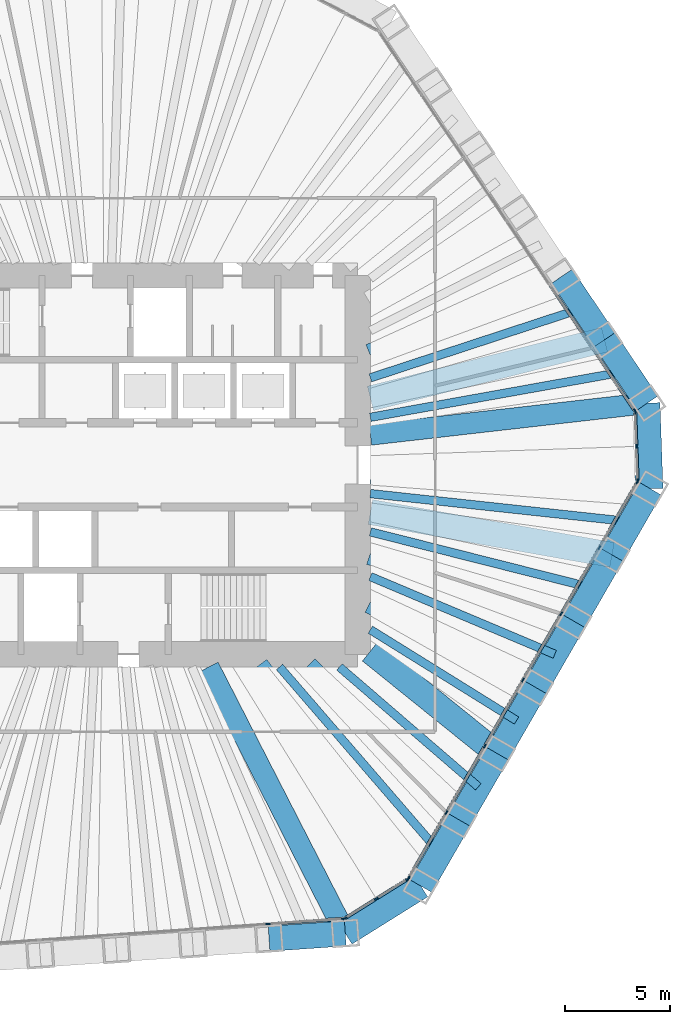
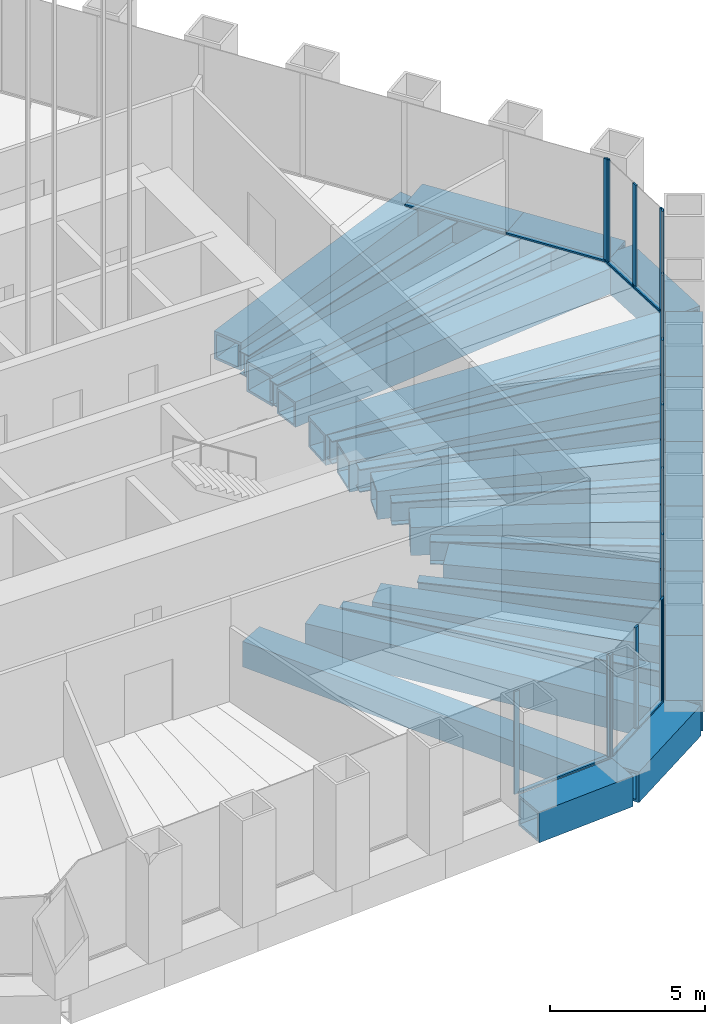
# One storey, part 4 of 20: 40 members, 19 beams, 5 elements without a shape of their own.
"""IFC4 building model written with IfcOpenShell, lengths in metres."""

import ifcopenshell
import ifcopenshell.guid

model = None  # the IFC model being written
_history = None  # IfcOwnerHistory: only IFC2X3 demands one
_inside = {}  # id of a spatial element -> (the spatial element, [elements in it])
_under = {}  # id of a project, library or spatial element -> (it, [spatial elements below it])
_declared = {}  # id of a project -> (the project, [libraries it declares])
_typed = {}  # id of a type object -> (the type object, [elements of that type])
_made_of = {}  # id of a material, layer set ... -> (it, [elements and type objects made of it])


def new_model(schema):
    """Start an empty IFC model of exactly this schema.

    Asked for "IFC4X3", IfcOpenShell would pick the latest addendum, in which some entities
    have other attributes; the version numbers below select the first issue.
    IFC2X3 requires an IfcOwnerHistory on every rooted entity: one is made here for all.
    """
    global model, _history
    if schema == "IFC4X3":
        model = ifcopenshell.file(schema_version=(4, 3, 0, 0))
    else:
        model = ifcopenshell.file(schema=schema)
    _inside.clear()
    _under.clear()
    _declared.clear()
    _typed.clear()
    _made_of.clear()
    _history = None
    if model.schema == "IFC2X3":
        org = make("IfcOrganization", Name="unknown")
        user = make(
            "IfcPersonAndOrganization",
            ThePerson=make("IfcPerson", FamilyName="unknown"),
            TheOrganization=org,
        )
        app = make(
            "IfcApplication",
            ApplicationDeveloper=org,
            Version="unknown",
            ApplicationFullName="unknown",
            ApplicationIdentifier="unknown",
        )
        _history = make(
            "IfcOwnerHistory",
            OwningUser=user,
            OwningApplication=app,
            ChangeAction="ADDED",
            CreationDate=0,
        )
    return model


def make(cls, **values):
    """One entity of the class cls with the attributes given. An attribute that is None is left unset."""
    return model.create_entity(
        cls, **{name: value for name, value in values.items() if value is not None}
    )


def rooted(cls, **values):
    """An entity with a GlobalId (a new one), such as an element, a storey or a relation."""
    return make(cls, GlobalId=ifcopenshell.guid.new(), OwnerHistory=_history, **values)


def si_unit(unit_type, name, prefix=None):
    """IfcSIUnit, for example si_unit("LENGTHUNIT", "METRE", prefix="MILLI")."""
    return make("IfcSIUnit", UnitType=unit_type, Prefix=prefix, Name=name)


def assignment(units):
    """IfcUnitAssignment: the units of a project."""
    return None if units is None else make("IfcUnitAssignment", Units=units)


def point(xyz):
    """IfcCartesianPoint."""
    return None if xyz is None else make("IfcCartesianPoint", Coordinates=xyz)


def direction(xyz):
    """IfcDirection."""
    return None if xyz is None else make("IfcDirection", DirectionRatios=xyz)


def frame(location, z_axis=None, x_axis=None):
    """IfcAxis2Placement3D, a coordinate frame: its origin and axes. An axis left out is left unset."""
    return make(
        "IfcAxis2Placement3D",
        Location=point(location),
        Axis=direction(z_axis),
        RefDirection=direction(x_axis),
    )


def frame_2d(location, x_axis=None):
    """IfcAxis2Placement2D, a coordinate frame in the plane: its origin and x axis."""
    return make(
        "IfcAxis2Placement2D", Location=point(location), RefDirection=direction(x_axis)
    )


def origin():
    """The frame at (0, 0, 0) with its axes left unset."""
    return frame((0.0, 0.0, 0.0))


def origin_2d():
    """The frame at (0, 0) in the plane with its x axis left unset."""
    return frame_2d((0.0, 0.0))


def place(relative_to, where):
    """IfcLocalPlacement: puts the frame where relative to a parent placement (None: the world)."""
    return make(
        "IfcLocalPlacement", PlacementRelTo=relative_to, RelativePlacement=where
    )


def context(
    kind, dimensions, precision=None, world=None, true_north=None, identifier=None
):
    """IfcGeometricRepresentationContext, for example the 3D "Model" context."""
    return make(
        "IfcGeometricRepresentationContext",
        ContextIdentifier=identifier,
        ContextType=kind,
        CoordinateSpaceDimension=dimensions,
        Precision=precision,
        WorldCoordinateSystem=world,
        TrueNorth=true_north,
    )


def subcontext(parent, identifier, kind, view, scale=None):
    """IfcGeometricRepresentationSubContext, for example "Body" below "Model"."""
    return make(
        "IfcGeometricRepresentationSubContext",
        ContextIdentifier=identifier,
        ContextType=kind,
        ParentContext=parent,
        TargetScale=scale,
        TargetView=view,
    )


def project(units=None, contexts=None):
    """IfcProject with its units and contexts."""
    return rooted(
        "IfcProject",
        Name="project",
        RepresentationContexts=contexts,
        UnitsInContext=assignment(units),
    )


def spatial(cls, under=None, at=None, **own):
    """A site, building, storey or space (cls), placed at a placement, below another one or the project."""
    s = rooted(cls, ObjectPlacement=at, **own)
    if under is not None:
        _under.setdefault(under.id(), (under, []))[1].append(s)
    return s


def profile(cls, at=None, kind="AREA", **sizes):
    """A parametric profile (cls). Its sizes go by their IFC names, for example OverallWidth=200.0."""
    return make(cls, ProfileType=kind, Position=at, **sizes)


def rectangle(**sizes):
    """IfcRectangleProfileDef."""
    return profile("IfcRectangleProfileDef", **sizes)


def hollow_rectangle(**sizes):
    """IfcRectangleHollowProfileDef."""
    return profile("IfcRectangleHollowProfileDef", **sizes)


def i_section(**sizes):
    """IfcIShapeProfileDef."""
    return profile("IfcIShapeProfileDef", **sizes)


def extrude(swept, where, along, depth):
    """IfcExtrudedAreaSolid: the profile swept, set in the frame where, extruded along a direction by depth."""
    return make(
        "IfcExtrudedAreaSolid",
        SweptArea=swept,
        Position=where,
        ExtrudedDirection=direction(along),
        Depth=depth,
    )


def shape(context_of_items, identifier, shape_type, items):
    """IfcShapeRepresentation: the items that make up one representation, for example the "Body"."""
    return make(
        "IfcShapeRepresentation",
        ContextOfItems=context_of_items,
        RepresentationIdentifier=identifier,
        RepresentationType=shape_type,
        Items=items,
    )


def material(Name=None, Category=None):
    """IfcMaterial."""
    return make("IfcMaterial", Name=Name, Category=Category)


def material_profile(
    of_material, cross_section, Name=None, Category=None, Priority=None
):
    """IfcMaterialProfile: a cross section and its material."""
    return make(
        "IfcMaterialProfile",
        Name=Name,
        Material=of_material,
        Profile=cross_section,
        Priority=Priority,
        Category=Category,
    )


def profile_set(profiles, Name=None, composite=None):
    """IfcMaterialProfileSet."""
    return make(
        "IfcMaterialProfileSet",
        Name=Name,
        MaterialProfiles=profiles,
        CompositeProfile=composite,
    )


def made_of(thing, what):
    """Note that an element or type object is made of a material, layer set ...; save() writes the relation."""
    if what is not None:
        _made_of.setdefault(what.id(), (what, []))[1].append(thing)
    return thing


def type_object(cls, material=None, **own):
    """A type object (cls), such as IfcWallType, which elements share."""
    return made_of(rooted(cls, **own), material)


def element(
    cls,
    number,
    at=None,
    inside=None,
    cuts=None,
    type_object=None,
    material=None,
    context=None,
    identifier="Body",
    shape_type=None,
    held_by="IfcProductDefinitionShape",
    body=None,
    shapes=None,
    **own,
):
    """One element of the class cls, such as IfcWall. Its Tag is "e" and its number.

    at: its placement. inside: the storey or other place that contains it. cuts: it is an
    opening in that element (IfcRelVoidsElement). A single representation is given by context,
    identifier, shape_type and body (its items); several are given by shapes. held_by: the class
    of the entity that holds the representations. save() writes the other relations.
    """
    e = rooted(cls, Tag="e%d" % number, ObjectPlacement=at, **own)
    if body is not None:
        shapes = [shape(context, identifier, shape_type, body)]
    if shapes is not None:
        e.Representation = make(held_by, Representations=shapes)
    if inside is not None:
        _inside.setdefault(inside.id(), (inside, []))[1].append(e)
    if cuts is not None:
        rooted(
            "IfcRelVoidsElement", RelatingBuildingElement=cuts, RelatedOpeningElement=e
        )
    if type_object is not None:
        _typed.setdefault(type_object.id(), (type_object, []))[1].append(e)
    return made_of(e, material)


def aggregate(whole, parts):
    """IfcRelAggregates: a whole, such as a stair, and the parts it consists of."""
    return rooted("IfcRelAggregates", RelatingObject=whole, RelatedObjects=parts)


def save(model, path):
    """Write the relations noted so far, then the file.

    IfcRelAggregates (storeys below a building ...), IfcRelContainedInSpatialStructure (elements
    in a storey), IfcRelDefinesByType, IfcRelAssociatesMaterial and IfcRelDeclares: one each for
    every whole, place, type object, material and project.
    """
    for whole, parts in _under.values():
        aggregate(whole, parts)
    for where, things in _inside.values():
        rooted(
            "IfcRelContainedInSpatialStructure",
            RelatedElements=things,
            RelatingStructure=where,
        )
    for kind, things in _typed.values():
        rooted("IfcRelDefinesByType", RelatedObjects=things, RelatingType=kind)
    for what, things in _made_of.values():
        rooted("IfcRelAssociatesMaterial", RelatedObjects=things, RelatingMaterial=what)
    for by, libraries in _declared.values():
        rooted("IfcRelDeclares", RelatingContext=by, RelatedDefinitions=libraries)
    model.write(path)


model = new_model("IFC4")

# Units and contexts
model_context = context("Model", 3, precision=1e-05, world=origin(), true_north=direction((0.0, 1.0)))
body_context = subcontext(model_context, "Body", "Model", "MODEL_VIEW")
ifc_project = project(units=[si_unit("LENGTHUNIT", "METRE"), si_unit("AREAUNIT", "SQUARE_METRE"), si_unit("VOLUMEUNIT", "CUBIC_METRE"), si_unit("PLANEANGLEUNIT", "RADIAN"), si_unit("MASSUNIT", "GRAM", prefix="KILO")], contexts=[model_context])

# Site, building, storey
site_placement = place(None, origin())
site = spatial("IfcSite", under=ifc_project, at=site_placement, CompositionType="ELEMENT")
building_placement = place(site_placement, origin())
building = spatial("IfcBuilding", under=site, at=building_placement, Name="Qingtian Harvest Tower", CompositionType="ELEMENT")
storey_placement = place(building_placement, frame((0.0, 0.0, 180.39990234375)))
storey = spatial("IfcBuildingStorey", under=building, at=storey_placement, Name="L38", CompositionType="ELEMENT", Elevation=180.39990234375)

# Members
ifc_material_1 = material(Name="Steel SM570MC", Category="steel")
ifc_material_profile_1 = material_profile(ifc_material_1, hollow_rectangle(XDim=1.199951171875, YDim=1.199951171875, WallThickness=0.10009765625, at=origin_2d()), Name="BOX1200x1200x100")
ifc_profile_set_1 = profile_set([ifc_material_profile_1], Name="Steel SM570MC")
member_type_1 = type_object("IfcMemberType", Name="Belt truss chord BC2 BOX1200x1200x100", PredefinedType="CHORD", material=ifc_profile_set_1)
member_1_placement = place(storey_placement, frame((21.69873046875, 8.9609375, -0.599853515625), z_axis=(0.55920395902, -0.829030115385, 0.0), x_axis=(0.829030115385, 0.55920395902, 0.0)))
element("IfcMember", 1, at=member_1_placement, inside=storey, type_object=member_type_1, Name="Belt chord BC2 NE4", PredefinedType="CHORD", context=body_context, shape_type="SweptSolid", body=[
    extrude(hollow_rectangle(XDim=1.199951171875, YDim=1.199951171875, WallThickness=0.10009765625, at=origin_2d()), origin(), (0.0, 0.0, 1.0), 3.6337890625),
])
member_2_placement = place(storey_placement, frame((23.730712890625, 5.948486328125, -0.599853515625), z_axis=(0.559188928021, -0.829040254016, 0.0), x_axis=(0.829040254016, 0.559188928021, 0.0)))
element("IfcMember", 2, at=member_2_placement, inside=storey, type_object=member_type_1, Name="Belt chord BC2 NE5", PredefinedType="CHORD", context=body_context, shape_type="SweptSolid", body=[
    extrude(hollow_rectangle(XDim=1.199951171875, YDim=1.199951171875, WallThickness=0.10009765625, at=origin_2d()), origin(), (0.0, 0.0, 1.0), 3.63330078125),
])
member_3_placement = place(storey_placement, frame((25.762451171875, 2.936279296875, -0.599853515625), z_axis=(0.03490639867, -0.999390585973, 0.0), x_axis=(0.999390585973, 0.03490639867, 0.0)))
element("IfcMember", 3, at=member_3_placement, inside=storey, type_object=member_type_1, Name="Belt chord BC2 NEC", PredefinedType="CHORD", context=body_context, shape_type="SweptSolid", body=[
    extrude(hollow_rectangle(XDim=1.199951171875, YDim=1.199951171875, WallThickness=0.10009765625, at=origin_2d()), origin(), (0.0, 0.0, 1.0), 4.070556640625),
])
member_4_placement = place(storey_placement, frame((25.904541015625, -1.1318359375, -0.599853515625), z_axis=(-0.499947341849, -0.866055803848, 0.0), x_axis=(0.866055803848, -0.499947341849, 0.0)))
element("IfcMember", 4, at=member_4_placement, inside=storey, type_object=member_type_1, Name="Belt chord BC2 SE0", PredefinedType="CHORD", context=body_context, shape_type="SweptSolid", body=[
    extrude(hollow_rectangle(XDim=1.199951171875, YDim=1.199951171875, WallThickness=0.10009765625, at=origin_2d()), origin(), (0.0, 0.0, 1.0), 3.6337890625),
])
for number, where, z_axis, x_axis, name in (
    (5, (24.087890625, -4.27880859375, -0.599853515625), (-0.500026827678, -0.866009914263, 0.0), (0.866009914263, -0.500026827678, 0.0), "Belt chord BC2 SE1"),
    (6, (22.27099609375, -7.425537109375, -0.599853515625), (-0.499976434558, -0.866039008871, 0.0), (0.866039008871, -0.499976434558, 0.0), "Belt chord BC2 SE2"),
    (7, (20.454345703125, -10.572265625, -0.599853515625), (-0.500026827678, -0.866009914263, 0.0), (0.866009914263, -0.500026827678, 0.0), "Belt chord BC2 SE3"),
    (8, (18.637451171875, -13.718994140625, -0.599853515625), (-0.499976434558, -0.866039008871, 0.0), (0.866039008871, -0.499976434558, 0.0), "Belt chord BC2 SE4"),
    (9, (16.82080078125, -16.86572265625, -0.599853515625), (-0.500026827678, -0.866009914263, 0.0), (0.866009914263, -0.500026827678, 0.0), "Belt chord BC2 SE5"),
):
    element("IfcMember", number, at=place(storey_placement, frame(where, z_axis=z_axis, x_axis=x_axis)), inside=storey, type_object=member_type_1, Name=name, PredefinedType="CHORD", context=body_context, shape_type="SweptSolid", body=[
        extrude(hollow_rectangle(XDim=1.199951171875, YDim=1.199951171875, WallThickness=0.10009765625, at=origin_2d()), origin(), (0.0, 0.0, 1.0), 3.633544921875),
    ])
member_5_placement = place(storey_placement, frame((15.00390625, -20.012451171875, -0.599853515625), z_axis=(-0.848056550838, -0.529905733675, 0.0), x_axis=(0.529905733675, -0.848056550838, 0.0)))
element("IfcMember", 10, at=member_5_placement, inside=storey, type_object=member_type_1, Name="Belt chord BC2 SEC", PredefinedType="CHORD", context=body_context, shape_type="SweptSolid", body=[
    extrude(hollow_rectangle(XDim=1.199951171875, YDim=1.199951171875, WallThickness=0.10009765625, at=origin_2d()), origin(), (0.0, 0.0, 1.0), 4.23828125),
])
member_6_placement = place(storey_placement, frame((11.40966796875, -22.25830078125, -0.599853515625), z_axis=(-0.997564674207, -0.069747550305, 0.0), x_axis=(0.069747550305, -0.997564674207, 0.0)))
element("IfcMember", 11, at=member_6_placement, inside=storey, type_object=member_type_1, Name="Belt chord BC2 S0", PredefinedType="CHORD", context=body_context, shape_type="SweptSolid", body=[
    extrude(hollow_rectangle(XDim=1.199951171875, YDim=1.199951171875, WallThickness=0.10009765625, at=origin_2d()), origin(), (0.0, 0.0, 1.0), 3.63330078125),
])

# Beams
ifc_material_2 = material(Name="Steel SN490B", Category="steel")
ifc_material_profile_2 = material_profile(ifc_material_2, i_section(OverallWidth=0.39990234375, OverallDepth=0.89990234375, WebThickness=0.01904296875, FlangeThickness=0.035888671875, at=origin_2d()), Name="H900x400x19x36")
ifc_profile_set_2 = profile_set([ifc_material_profile_2], Name="Steel SN490B")
beam_type_1 = type_object("IfcBeamType", Name="Floor joist J4 H900x400x19x36", PredefinedType="JOIST", material=ifc_profile_set_2)
beam_1_placement = place(storey_placement, frame((22.71484375, 7.454833984375, -0.619873046875), z_axis=(-0.950138567513, -0.311828001508, 0.0), x_axis=(0.311828001508, -0.950138567513, 0.0)))
element("IfcBeam", 12, at=beam_1_placement, inside=storey, type_object=beam_type_1, Name="Floor joist J4 NE4", PredefinedType="JOIST", context=body_context, shape_type="SweptSolid", body=[
    extrude(i_section(OverallWidth=0.39990234375, OverallDepth=0.89990234375, WebThickness=0.01904296875, FlangeThickness=0.035888671875, at=origin_2d()), origin(), (0.0, 0.0, 1.0), 10.6455078125),
])
beam_2_placement = place(storey_placement, frame((24.74658203125, 4.4423828125, -0.619873046875), z_axis=(-0.98426723745, -0.176686177393, 0.0), x_axis=(0.176686177393, -0.98426723745, 0.0)))
element("IfcBeam", 13, at=beam_2_placement, inside=storey, type_object=beam_type_1, Name="Floor joist J4 NE5", PredefinedType="JOIST", context=body_context, shape_type="SweptSolid", body=[
    extrude(i_section(OverallWidth=0.39990234375, OverallDepth=0.89990234375, WebThickness=0.01904296875, FlangeThickness=0.035888671875, at=origin_2d()), origin(), (0.0, 0.0, 1.0), 12.340576171875),
])
beam_3_placement = place(storey_placement, frame((24.99609375, -2.705322265625, -0.619873046875), z_axis=(-0.994194656298, 0.107596400448, 0.0), x_axis=(-0.107596400448, -0.994194656298, 0.0)))
element("IfcBeam", 14, at=beam_3_placement, inside=storey, type_object=beam_type_1, Name="Floor joist J4 SE0", PredefinedType="JOIST", context=body_context, shape_type="SweptSolid", body=[
    extrude(i_section(OverallWidth=0.39990234375, OverallDepth=0.89990234375, WebThickness=0.01904296875, FlangeThickness=0.035888671875, at=origin_2d()), origin(), (0.0, 0.0, 1.0), 12.46826171875),
])
beam_4_placement = place(storey_placement, frame((23.179443359375, -5.85205078125, -0.619873046875), z_axis=(-0.969577887027, 0.244783007963, 0.0), x_axis=(-0.244783007963, -0.969577887027, 0.0)))
element("IfcBeam", 15, at=beam_4_placement, inside=storey, type_object=beam_type_1, Name="Floor joist J4 SE1", PredefinedType="JOIST", context=body_context, shape_type="SweptSolid", body=[
    extrude(i_section(OverallWidth=0.39990234375, OverallDepth=0.89990234375, WebThickness=0.01904296875, FlangeThickness=0.035888671875, at=origin_2d()), origin(), (0.0, 0.0, 1.0), 10.911376953125),
])
beam_5_placement = place(storey_placement, frame((21.362548828125, -8.998779296875, -0.619873046875), z_axis=(-0.921571079516, 0.388209666803, 0.0), x_axis=(-0.388209666803, -0.921571079516, 0.0)))
element("IfcBeam", 16, at=beam_5_placement, inside=storey, type_object=beam_type_1, Name="Floor joist J4 SE2", PredefinedType="JOIST", context=body_context, shape_type="SweptSolid", body=[
    extrude(i_section(OverallWidth=0.39990234375, OverallDepth=0.89990234375, WebThickness=0.01904296875, FlangeThickness=0.035888671875, at=origin_2d()), origin(), (0.0, 0.0, 1.0), 9.508056640625),
])
beam_6_placement = place(storey_placement, frame((19.5458984375, -12.1455078125, -0.619873046875), z_axis=(-0.849380822906, 0.527780463526, 0.0), x_axis=(-0.527780463526, -0.849380822906, 0.0)))
element("IfcBeam", 17, at=beam_6_placement, inside=storey, type_object=beam_type_1, Name="Floor joist J4 SE3", PredefinedType="JOIST", context=body_context, shape_type="SweptSolid", body=[
    extrude(i_section(OverallWidth=0.39990234375, OverallDepth=0.89990234375, WebThickness=0.01904296875, FlangeThickness=0.035888671875, at=origin_2d()), origin(), (0.0, 0.0, 1.0), 8.177490234375),
])
beam_7_placement = place(storey_placement, frame((17.72900390625, -15.292236328125, -0.619873046875), z_axis=(-0.757237954988, 0.653139096613, 0.0), x_axis=(-0.653139096613, -0.757237954988, 0.0)))
element("IfcBeam", 18, at=beam_7_placement, inside=storey, type_object=beam_type_1, Name="Floor joist J4 SE4", PredefinedType="JOIST", context=body_context, shape_type="SweptSolid", body=[
    extrude(i_section(OverallWidth=0.39990234375, OverallDepth=0.89990234375, WebThickness=0.01904296875, FlangeThickness=0.035888671875, at=origin_2d()), origin(), (0.0, 0.0, 1.0), 8.715087890625),
])
beam_8_placement = place(storey_placement, frame((15.912353515625, -18.43896484375, -0.619873046875), z_axis=(-0.653343257086, 0.757061812813, 0.0), x_axis=(-0.757061812813, -0.653343257086, 0.0)))
element("IfcBeam", 19, at=beam_8_placement, inside=storey, type_object=beam_type_1, Name="Floor joist J4 SE5", PredefinedType="JOIST", context=body_context, shape_type="SweptSolid", body=[
    extrude(i_section(OverallWidth=0.39990234375, OverallDepth=0.89990234375, WebThickness=0.01904296875, FlangeThickness=0.035888671875, at=origin_2d()), origin(), (0.0, 0.0, 1.0), 11.67529296875),
])

# Curtain wall, member
ifc_material_3 = material(Name="Bronze-anodised aluminium curtain wall", Category="aluminium")
curtain_wall_type = type_object("IfcCurtainWallType", Name="Curtain wall CW3 sky lobby", PredefinedType="USERDEFINED", material=ifc_material_3)
curtain_wall_1_placement = place(storey_placement, origin())
curtain_wall_1 = element("IfcCurtainWall", 20, at=curtain_wall_1_placement, inside=storey, type_object=curtain_wall_type, Name="Curtain wall CW3 L38 NE0-5", ObjectType="RECESSED CURTAIN WALL", PredefinedType="USERDEFINED")
ifc_material_4 = material(Name="Bronze-anodised aluminium mullion", Category="aluminium")
ifc_material_profile_3 = material_profile(ifc_material_4, rectangle(XDim=0.06494140625, YDim=0.199951171875, at=origin_2d()), Name="AL 65x200")
ifc_profile_set_3 = profile_set([ifc_material_profile_3], Name="Bronze-anodised aluminium mullion")
member_type_2 = type_object("IfcMemberType", Name="Mullion CWM 65x200", PredefinedType="MULLION", material=ifc_profile_set_3)
member_7_placement = place(storey_placement, frame((25.1640625, 2.57177734375, 0.0), z_axis=(0.0, 0.0, 1.0), x_axis=(0.829037572555, 0.559192903471, 0.0)))
member_7 = element("IfcMember", 21, at=member_7_placement, type_object=member_type_2, Name="CW3 mullion 7", PredefinedType="MULLION", context=body_context, shape_type="SweptSolid", body=[
    extrude(rectangle(XDim=0.06494140625, YDim=0.199951171875, at=origin_2d()), origin(), (0.0, 0.0, 1.0), 4.030029296875),
])

# Curtain wall, members
curtain_wall_2_placement = place(storey_placement, origin())
curtain_wall_2 = element("IfcCurtainWall", 22, at=curtain_wall_2_placement, inside=storey, type_object=curtain_wall_type, Name="Curtain wall CW3 L38 NEC", ObjectType="RECESSED CURTAIN WALL", PredefinedType="USERDEFINED")
member_8_placement = place(storey_placement, frame((25.183349609375, 2.51220703125, 0.0), z_axis=(0.0, 0.0, 1.0), x_axis=(0.999390827019, 0.034899496703, 0.0)))
member_8 = element("IfcMember", 23, at=member_8_placement, type_object=member_type_2, Name="CW3 mullion 1", PredefinedType="MULLION", context=body_context, shape_type="SweptSolid", body=[
    extrude(rectangle(XDim=0.06494140625, YDim=0.199951171875, at=origin_2d()), origin(), (0.0, 0.0, 1.0), 4.030029296875),
])
member_9_placement = place(storey_placement, frame((25.240234375, 0.88134765625, 0.0), z_axis=(0.0, 0.0, 1.0), x_axis=(0.999390827019, 0.034899496703, 0.0)))
member_9 = element("IfcMember", 24, at=member_9_placement, type_object=member_type_2, Name="CW3 mullion 2", PredefinedType="MULLION", context=body_context, shape_type="SweptSolid", body=[
    extrude(rectangle(XDim=0.06494140625, YDim=0.199951171875, at=origin_2d()), origin(), (0.0, 0.0, 1.0), 4.030029296875),
])
member_10_placement = place(storey_placement, frame((25.297119140625, -0.74951171875, 0.0), z_axis=(0.0, 0.0, 1.0), x_axis=(0.999390827019, 0.034899496703, 0.0)))
member_10 = element("IfcMember", 25, at=member_10_placement, type_object=member_type_2, Name="CW3 mullion 3", PredefinedType="MULLION", context=body_context, shape_type="SweptSolid", body=[
    extrude(rectangle(XDim=0.06494140625, YDim=0.199951171875, at=origin_2d()), origin(), (0.0, 0.0, 1.0), 4.030029296875),
])

curtain_wall_3_placement = place(storey_placement, origin())
curtain_wall_3 = element("IfcCurtainWall", 26, at=curtain_wall_3_placement, inside=storey, type_object=curtain_wall_type, Name="Curtain wall CW3 L38 SE0-5", ObjectType="RECESSED CURTAIN WALL", PredefinedType="USERDEFINED")
member_11_placement = place(storey_placement, frame((25.2822265625, -0.81005859375, 0.0), z_axis=(0.0, 0.0, 1.0), x_axis=(0.866025403784, -0.5, 0.0)))
member_11 = element("IfcMember", 27, at=member_11_placement, type_object=member_type_2, Name="CW3 mullion 1", PredefinedType="MULLION", context=body_context, shape_type="SweptSolid", body=[
    extrude(rectangle(XDim=0.06494140625, YDim=0.199951171875, at=origin_2d()), origin(), (0.0, 0.0, 1.0), 4.030029296875),
])
member_12_placement = place(storey_placement, frame((23.481689453125, -3.9287109375, 0.0), z_axis=(0.0, 0.0, 1.0), x_axis=(0.866025403784, -0.5, 0.0)))
member_12 = element("IfcMember", 28, at=member_12_placement, type_object=member_type_2, Name="CW3 mullion 2", PredefinedType="MULLION", context=body_context, shape_type="SweptSolid", body=[
    extrude(rectangle(XDim=0.06494140625, YDim=0.199951171875, at=origin_2d()), origin(), (0.0, 0.0, 1.0), 4.030029296875),
])
member_13_placement = place(storey_placement, frame((21.664794921875, -7.075439453125, 0.0), z_axis=(0.0, 0.0, 1.0), x_axis=(0.866025403784, -0.5, 0.0)))
member_13 = element("IfcMember", 29, at=member_13_placement, type_object=member_type_2, Name="CW3 mullion 3", PredefinedType="MULLION", context=body_context, shape_type="SweptSolid", body=[
    extrude(rectangle(XDim=0.06494140625, YDim=0.199951171875, at=origin_2d()), origin(), (0.0, 0.0, 1.0), 4.030029296875),
])
member_14_placement = place(storey_placement, frame((19.84814453125, -10.22216796875, 0.0), z_axis=(0.0, 0.0, 1.0), x_axis=(0.866025403784, -0.5, 0.0)))
member_14 = element("IfcMember", 30, at=member_14_placement, type_object=member_type_2, Name="CW3 mullion 4", PredefinedType="MULLION", context=body_context, shape_type="SweptSolid", body=[
    extrude(rectangle(XDim=0.06494140625, YDim=0.199951171875, at=origin_2d()), origin(), (0.0, 0.0, 1.0), 4.030029296875),
])
member_15_placement = place(storey_placement, frame((18.03125, -13.368896484375, 0.0), z_axis=(0.0, 0.0, 1.0), x_axis=(0.866025403784, -0.5, 0.0)))
member_15 = element("IfcMember", 31, at=member_15_placement, type_object=member_type_2, Name="CW3 mullion 5", PredefinedType="MULLION", context=body_context, shape_type="SweptSolid", body=[
    extrude(rectangle(XDim=0.06494140625, YDim=0.199951171875, at=origin_2d()), origin(), (0.0, 0.0, 1.0), 4.030029296875),
])
member_16_placement = place(storey_placement, frame((16.214599609375, -16.515625, 0.0), z_axis=(0.0, 0.0, 1.0), x_axis=(0.866025403784, -0.5, 0.0)))
member_16 = element("IfcMember", 32, at=member_16_placement, type_object=member_type_2, Name="CW3 mullion 6", PredefinedType="MULLION", context=body_context, shape_type="SweptSolid", body=[
    extrude(rectangle(XDim=0.06494140625, YDim=0.199951171875, at=origin_2d()), origin(), (0.0, 0.0, 1.0), 4.030029296875),
])
member_17_placement = place(storey_placement, frame((14.4140625, -19.63427734375, 0.0), z_axis=(0.0, 0.0, 1.0), x_axis=(0.866025403784, -0.5, 0.0)))
member_17 = element("IfcMember", 33, at=member_17_placement, type_object=member_type_2, Name="CW3 mullion 7", PredefinedType="MULLION", context=body_context, shape_type="SweptSolid", body=[
    extrude(rectangle(XDim=0.06494140625, YDim=0.199951171875, at=origin_2d()), origin(), (0.0, 0.0, 1.0), 4.030029296875),
])

curtain_wall_4_placement = place(storey_placement, origin())
curtain_wall_4 = element("IfcCurtainWall", 34, at=curtain_wall_4_placement, inside=storey, type_object=curtain_wall_type, Name="Curtain wall CW3 L38 SEC", ObjectType="RECESSED CURTAIN WALL", PredefinedType="USERDEFINED")
member_18_placement = place(storey_placement, frame((14.3701171875, -19.6796875, 0.0), z_axis=(0.0, 0.0, 1.0), x_axis=(0.529919264233, -0.848048096156, 0.0)))
member_18 = element("IfcMember", 35, at=member_18_placement, type_object=member_type_2, Name="CW3 mullion 1", PredefinedType="MULLION", context=body_context, shape_type="SweptSolid", body=[
    extrude(rectangle(XDim=0.06494140625, YDim=0.199951171875, at=origin_2d()), origin(), (0.0, 0.0, 1.0), 4.030029296875),
])
member_19_placement = place(storey_placement, frame((12.87939453125, -20.611328125, 0.0), z_axis=(0.0, 0.0, 1.0), x_axis=(0.529919264233, -0.848048096156, 0.0)))
member_19 = element("IfcMember", 36, at=member_19_placement, type_object=member_type_2, Name="CW3 mullion 2", PredefinedType="MULLION", context=body_context, shape_type="SweptSolid", body=[
    extrude(rectangle(XDim=0.06494140625, YDim=0.199951171875, at=origin_2d()), origin(), (0.0, 0.0, 1.0), 4.030029296875),
])
member_20_placement = place(storey_placement, frame((11.388427734375, -21.542724609375, 0.0), z_axis=(0.0, 0.0, 1.0), x_axis=(0.529919264233, -0.848048096156, 0.0)))
member_20 = element("IfcMember", 37, at=member_20_placement, type_object=member_type_2, Name="CW3 mullion 3", PredefinedType="MULLION", context=body_context, shape_type="SweptSolid", body=[
    extrude(rectangle(XDim=0.06494140625, YDim=0.199951171875, at=origin_2d()), origin(), (0.0, 0.0, 1.0), 4.030029296875),
])

curtain_wall_5_placement = place(storey_placement, origin())
curtain_wall_5 = element("IfcCurtainWall", 38, at=curtain_wall_5_placement, inside=storey, type_object=curtain_wall_type, Name="Curtain wall CW3 L38 S0-5", ObjectType="RECESSED CURTAIN WALL", PredefinedType="USERDEFINED")
member_21_placement = place(storey_placement, frame((11.32861328125, -21.562255859375, 0.0), z_axis=(0.0, 0.0, 1.0), x_axis=(0.069756473744, -0.99756405026, 0.0)))
member_21 = element("IfcMember", 39, at=member_21_placement, type_object=member_type_2, Name="CW3 mullion 1", PredefinedType="MULLION", context=body_context, shape_type="SweptSolid", body=[
    extrude(rectangle(XDim=0.06494140625, YDim=0.199951171875, at=origin_2d()), origin(), (0.0, 0.0, 1.0), 4.030029296875),
])
member_22_placement = place(storey_placement, frame((7.736328125, -21.8134765625, 0.0), z_axis=(0.0, 0.0, 1.0), x_axis=(0.069756473744, -0.99756405026, 0.0)))
member_22 = element("IfcMember", 40, at=member_22_placement, type_object=member_type_2, Name="CW3 mullion 2", PredefinedType="MULLION", context=body_context, shape_type="SweptSolid", body=[
    extrude(rectangle(XDim=0.06494140625, YDim=0.199951171875, at=origin_2d()), origin(), (0.0, 0.0, 1.0), 4.030029296875),
])

# Beams
ifc_material_5 = material(Name="Steel SM570MC", Category="steel")
ifc_material_profile_4 = material_profile(ifc_material_5, hollow_rectangle(XDim=1.199951171875, YDim=1.199951171875, WallThickness=0.10009765625, at=origin_2d()), Name="BOX1200x1200x100")
ifc_profile_set_4 = profile_set([ifc_material_profile_4], Name="Steel SM570MC")
beam_type_2 = type_object("IfcBeamType", Name="Outrigger chord beam OC2 BOX1200x1200x100", PredefinedType="BEAM", material=ifc_profile_set_4)
beam_9_placement = place(storey_placement, frame((23.730712890625, 5.948486328125, -0.77001953125), z_axis=(-0.969990876487, -0.243141315972, 0.0), x_axis=(0.243141315972, -0.969990876487, 0.0)))
element("IfcBeam", 41, at=beam_9_placement, inside=storey, type_object=beam_type_2, Name="Floor beam OC2 NE5", PredefinedType="BEAM", context=body_context, shape_type="SweptSolid", body=[
    extrude(hollow_rectangle(XDim=1.199951171875, YDim=1.199951171875, WallThickness=0.10009765625, at=origin_2d()), origin(), (0.0, 0.0, 1.0), 11.474853515625),
])
beam_10_placement = place(storey_placement, frame((25.904541015625, -1.1318359375, -0.77001953125), z_axis=(-0.999046865424, 0.043650437408, 0.0), x_axis=(-0.043650437408, -0.999046865424, 0.0)))
element("IfcBeam", 42, at=beam_10_placement, inside=storey, type_object=beam_type_2, Name="Floor beam OC2 SE0", PredefinedType="BEAM", context=body_context, shape_type="SweptSolid", body=[
    extrude(hollow_rectangle(XDim=1.199951171875, YDim=1.199951171875, WallThickness=0.10009765625, at=origin_2d()), origin(), (0.0, 0.0, 1.0), 13.317138671875),
])
beam_11_placement = place(storey_placement, frame((24.087890625, -4.27880859375, -0.77001953125), z_axis=(-0.98458469654, 0.174908477034, 0.0), x_axis=(-0.174908477034, -0.98458469654, 0.0)))
element("IfcBeam", 43, at=beam_11_placement, inside=storey, type_object=beam_type_2, Name="Floor beam OC2 SE1", PredefinedType="BEAM", context=body_context, shape_type="SweptSolid", body=[
    extrude(hollow_rectangle(XDim=1.199951171875, YDim=1.199951171875, WallThickness=0.10009765625, at=origin_2d()), origin(), (0.0, 0.0, 1.0), 11.667724609375),
])
beam_12_placement = place(storey_placement, frame((18.637451171875, -13.718994140625, -0.77001953125), z_axis=(-0.77840907003, 0.62775737327, 0.0), x_axis=(-0.62775737327, -0.77840907003, 0.0)))
element("IfcBeam", 44, at=beam_12_placement, inside=storey, type_object=beam_type_2, Name="Floor beam OC2 SE4", PredefinedType="BEAM", context=body_context, shape_type="SweptSolid", body=[
    extrude(hollow_rectangle(XDim=1.199951171875, YDim=1.199951171875, WallThickness=0.10009765625, at=origin_2d()), origin(), (0.0, 0.0, 1.0), 7.756103515625),
])
beam_13_placement = place(storey_placement, frame((15.00390625, -20.012451171875, -0.77001953125), z_axis=(-0.599858913609, 0.800105795357, 0.0), x_axis=(-0.800105795357, -0.599858913609, 0.0)))
element("IfcBeam", 45, at=beam_13_placement, inside=storey, type_object=beam_type_2, Name="Floor beam OC2 SE6", PredefinedType="BEAM", context=body_context, shape_type="SweptSolid", body=[
    extrude(hollow_rectangle(XDim=1.199951171875, YDim=1.199951171875, WallThickness=0.10009765625, at=origin_2d()), origin(), (0.0, 0.0, 1.0), 13.013671875),
])
ifc_material_6 = material(Name="Steel SM570MC", Category="steel")
ifc_material_profile_5 = material_profile(ifc_material_6, hollow_rectangle(XDim=1.0, YDim=1.0, WallThickness=0.080078125, at=origin_2d()), Name="BOX1000x1000x80")
ifc_profile_set_5 = profile_set([ifc_material_profile_5], Name="Steel SM570MC")
beam_type_3 = type_object("IfcBeamType", Name="Transfer corner beam FB11 BOX1000x1000x80", PredefinedType="BEAM", material=ifc_profile_set_5)
beam_14_placement = place(storey_placement, frame((25.762451171875, 2.936279296875, -0.669921875), z_axis=(-0.993566901619, -0.113246686522, 0.0), x_axis=(0.113246686522, -0.993566901619, 0.0)))
element("IfcBeam", 46, at=beam_14_placement, inside=storey, type_object=beam_type_3, Name="Floor beam FB11 NE6", PredefinedType="BEAM", context=body_context, shape_type="SweptSolid", body=[
    extrude(hollow_rectangle(XDim=1.0, YDim=1.0, WallThickness=0.080078125, at=origin_2d()), origin(), (0.0, 0.0, 1.0), 13.24755859375),
])
beam_15_placement = place(storey_placement, frame((11.40966796875, -22.25830078125, -0.669921875), z_axis=(-0.456157396608, 0.889899111989, 0.0), x_axis=(-0.889899111989, -0.456157396608, 0.0)))
element("IfcBeam", 47, at=beam_15_placement, inside=storey, type_object=beam_type_3, Name="Floor beam FB11 S0", PredefinedType="BEAM", context=body_context, shape_type="SweptSolid", body=[
    extrude(hollow_rectangle(XDim=1.0, YDim=1.0, WallThickness=0.080078125, at=origin_2d()), origin(), (0.0, 0.0, 1.0), 14.224365234375),
])
ifc_material_7 = material(Name="Steel SM570MC", Category="steel")
ifc_material_profile_6 = material_profile(ifc_material_7, hollow_rectangle(XDim=1.10009765625, YDim=1.10009765625, WallThickness=0.10009765625, at=origin_2d()), Name="BOX1100x1100x100")
ifc_profile_set_6 = profile_set([ifc_material_profile_6], Name="Steel SM570MC")
beam_type_4 = type_object("IfcBeamType", Name="Transfer floor beam FB9 BOX1100x1100x100", PredefinedType="BEAM", material=ifc_profile_set_6)
beam_16_placement = place(storey_placement, frame((21.69873046875, 8.9609375, -0.719970703125), z_axis=(-0.924281590361, -0.381711332973, 0.0), x_axis=(0.381711332973, -0.924281590361, 0.0)))
element("IfcBeam", 48, at=beam_16_placement, inside=storey, type_object=beam_type_4, Name="Floor beam FB9 NE4", PredefinedType="BEAM", context=body_context, shape_type="SweptSolid", body=[
    extrude(hollow_rectangle(XDim=1.10009765625, YDim=1.10009765625, WallThickness=0.10009765625, at=origin_2d()), origin(), (0.0, 0.0, 1.0), 9.843994140625),
])
beam_17_placement = place(storey_placement, frame((22.27099609375, -7.425537109375, -0.719970703125), z_axis=(-0.948654555734, 0.316313979908, 0.0), x_axis=(-0.316313979908, -0.948654555734, 0.0)))
element("IfcBeam", 49, at=beam_17_placement, inside=storey, type_object=beam_type_4, Name="Floor beam FB9 SE2", PredefinedType="BEAM", context=body_context, shape_type="SweptSolid", body=[
    extrude(hollow_rectangle(XDim=1.10009765625, YDim=1.10009765625, WallThickness=0.10009765625, at=origin_2d()), origin(), (0.0, 0.0, 1.0), 10.1943359375),
])
beam_18_placement = place(storey_placement, frame((20.454345703125, -10.572265625, -0.719970703125), z_axis=(-0.888343501027, 0.459179511938, 0.0), x_axis=(-0.459179511938, -0.888343501027, 0.0)))
element("IfcBeam", 50, at=beam_18_placement, inside=storey, type_object=beam_type_4, Name="Floor beam FB9 SE3", PredefinedType="BEAM", context=body_context, shape_type="SweptSolid", body=[
    extrude(hollow_rectangle(XDim=1.10009765625, YDim=1.10009765625, WallThickness=0.10009765625, at=origin_2d()), origin(), (0.0, 0.0, 1.0), 8.841552734375),
])
beam_19_placement = place(storey_placement, frame((16.82080078125, -16.86572265625, -0.719970703125), z_axis=(-0.70616637797, 0.708045935392, 0.0), x_axis=(-0.708045935392, -0.70616637797, 0.0)))
element("IfcBeam", 51, at=beam_19_placement, inside=storey, type_object=beam_type_4, Name="Floor beam FB9 SE5", PredefinedType="BEAM", context=body_context, shape_type="SweptSolid", body=[
    extrude(hollow_rectangle(XDim=1.10009765625, YDim=1.10009765625, WallThickness=0.10009765625, at=origin_2d()), origin(), (0.0, 0.0, 1.0), 10.261474609375),
])

# Member
ifc_material_8 = material(Name="Bronze-anodised aluminium transom", Category="aluminium")
ifc_material_profile_7 = material_profile(ifc_material_8, rectangle(XDim=0.14990234375, YDim=0.06494140625, at=origin_2d()), Name="AL 65x150")
ifc_profile_set_7 = profile_set([ifc_material_profile_7], Name="Bronze-anodised aluminium transom")
member_type_3 = type_object("IfcMemberType", Name="Transom CWT 65x150", PredefinedType="USERDEFINED", material=ifc_profile_set_7)
member_23_placement = place(storey_placement, frame((21.13671875, 8.54248046875, 0.03271484375), z_axis=(0.559160259871, -0.829059590006, 0.0), x_axis=(0.829059590006, 0.559160259871, 0.0)))
member_23 = element("IfcMember", 52, at=member_23_placement, type_object=member_type_3, Name="CW3 transom 5.1", ObjectType="TRANSOM", PredefinedType="USERDEFINED", context=body_context, shape_type="SweptSolid", body=[
    extrude(rectangle(XDim=0.14990234375, YDim=0.06494140625, at=origin_2d()), origin(), (0.0, 0.0, 1.0), 3.568603515625),
])

member_24_placement = place(storey_placement, frame((23.16845703125, 5.5302734375, 0.03271484375), z_axis=(0.559169259008, -0.829053520456, 0.0), x_axis=(0.829053520456, 0.559169259008, 0.0)))
member_24 = element("IfcMember", 53, at=member_24_placement, type_object=member_type_3, Name="CW3 transom 6.1", ObjectType="TRANSOM", PredefinedType="USERDEFINED", context=body_context, shape_type="SweptSolid", body=[
    extrude(rectangle(XDim=0.14990234375, YDim=0.06494140625, at=origin_2d()), origin(), (0.0, 0.0, 1.0), 3.5361328125),
])

aggregate(curtain_wall_1, [member_7, member_23, member_24])

member_25_placement = place(storey_placement, frame((25.1845703125, 2.479736328125, 0.03271484375), z_axis=(0.034902326647, -0.999390728191, 0.0), x_axis=(0.999390728191, 0.034902326647, 0.0)))
member_25 = element("IfcMember", 54, at=member_25_placement, type_object=member_type_3, Name="CW3 transom 1.1", ObjectType="TRANSOM", PredefinedType="USERDEFINED", context=body_context, shape_type="SweptSolid", body=[
    extrude(rectangle(XDim=0.14990234375, YDim=0.06494140625, at=origin_2d()), origin(), (0.0, 0.0, 1.0), 1.56689453125),
])

member_26_placement = place(storey_placement, frame((25.241455078125, 0.848876953125, 0.03271484375), z_axis=(0.034902326647, -0.999390728191, 0.0), x_axis=(0.999390728191, 0.034902326647, 0.0)))
member_26 = element("IfcMember", 55, at=member_26_placement, type_object=member_type_3, Name="CW3 transom 2.1", ObjectType="TRANSOM", PredefinedType="USERDEFINED", context=body_context, shape_type="SweptSolid", body=[
    extrude(rectangle(XDim=0.14990234375, YDim=0.06494140625, at=origin_2d()), origin(), (0.0, 0.0, 1.0), 1.56689453125),
])

aggregate(curtain_wall_2, [member_8, member_9, member_10, member_25, member_26])

member_27_placement = place(storey_placement, frame((25.265869140625, -0.838134765625, 0.03271484375), z_axis=(-0.499985409597, -0.866033827394, 0.0), x_axis=(0.866033827394, -0.499985409597, 0.0)))
member_27 = element("IfcMember", 56, at=member_27_placement, type_object=member_type_3, Name="CW3 transom 1.1", ObjectType="TRANSOM", PredefinedType="USERDEFINED", context=body_context, shape_type="SweptSolid", body=[
    extrude(rectangle(XDim=0.14990234375, YDim=0.06494140625, at=origin_2d()), origin(), (0.0, 0.0, 1.0), 3.5361328125),
])

member_28_placement = place(storey_placement, frame((23.46533203125, -3.956787109375, 0.03271484375), z_axis=(-0.499965259726, -0.866045460162, 0.0), x_axis=(0.866045460162, -0.499965259726, 0.0)))
member_28 = element("IfcMember", 57, at=member_28_placement, type_object=member_type_3, Name="CW3 transom 2.1", ObjectType="TRANSOM", PredefinedType="USERDEFINED", context=body_context, shape_type="SweptSolid", body=[
    extrude(rectangle(XDim=0.14990234375, YDim=0.06494140625, at=origin_2d()), origin(), (0.0, 0.0, 1.0), 3.568603515625),
])

member_29_placement = place(storey_placement, frame((21.648681640625, -7.103515625, 0.03271484375), z_axis=(-0.500016569533, -0.866015837149, 0.0), x_axis=(0.866015837149, -0.500016569533, 0.0)))
member_29 = element("IfcMember", 58, at=member_29_placement, type_object=member_type_3, Name="CW3 transom 3.1", ObjectType="TRANSOM", PredefinedType="USERDEFINED", context=body_context, shape_type="SweptSolid", body=[
    extrude(rectangle(XDim=0.14990234375, YDim=0.06494140625, at=origin_2d()), origin(), (0.0, 0.0, 1.0), 3.56884765625),
])

member_30_placement = place(storey_placement, frame((19.831787109375, -10.250244140625, 0.03271484375), z_axis=(-0.499965259726, -0.866045460162, 0.0), x_axis=(0.866045460162, -0.499965259726, 0.0)))
member_30 = element("IfcMember", 59, at=member_30_placement, type_object=member_type_3, Name="CW3 transom 4.1", ObjectType="TRANSOM", PredefinedType="USERDEFINED", context=body_context, shape_type="SweptSolid", body=[
    extrude(rectangle(XDim=0.14990234375, YDim=0.06494140625, at=origin_2d()), origin(), (0.0, 0.0, 1.0), 3.568603515625),
])

member_31_placement = place(storey_placement, frame((18.014892578125, -13.39697265625, 0.03271484375), z_axis=(-0.499965259726, -0.866045460162, 0.0), x_axis=(0.866045460162, -0.499965259726, 0.0)))
member_31 = element("IfcMember", 60, at=member_31_placement, type_object=member_type_3, Name="CW3 transom 5.1", ObjectType="TRANSOM", PredefinedType="USERDEFINED", context=body_context, shape_type="SweptSolid", body=[
    extrude(rectangle(XDim=0.14990234375, YDim=0.06494140625, at=origin_2d()), origin(), (0.0, 0.0, 1.0), 3.568603515625),
])

member_32_placement = place(storey_placement, frame((16.1982421875, -16.5439453125, 0.03271484375), z_axis=(-0.500015305566, -0.866016566931, 0.0), x_axis=(0.866016566931, -0.500015305566, 0.0)))
member_32 = element("IfcMember", 61, at=member_32_placement, type_object=member_type_3, Name="CW3 transom 6.1", ObjectType="TRANSOM", PredefinedType="USERDEFINED", context=body_context, shape_type="SweptSolid", body=[
    extrude(rectangle(XDim=0.14990234375, YDim=0.06494140625, at=origin_2d()), origin(), (0.0, 0.0, 1.0), 3.5361328125),
])

aggregate(curtain_wall_3, [member_11, member_12, member_13, member_14, member_15, member_16, member_17, member_27, member_28, member_29, member_30, member_31, member_32])

member_33_placement = place(storey_placement, frame((14.342529296875, -19.69677734375, 0.03271484375), z_axis=(-0.847998304005, -0.529998940003, 0.0), x_axis=(0.529998940003, -0.847998304005, 0.0)))
member_33 = element("IfcMember", 62, at=member_33_placement, type_object=member_type_3, Name="CW3 transom 1.1", ObjectType="TRANSOM", PredefinedType="USERDEFINED", context=body_context, shape_type="SweptSolid", body=[
    extrude(rectangle(XDim=0.14990234375, YDim=0.06494140625, at=origin_2d()), origin(), (0.0, 0.0, 1.0), 1.69287109375),
])

member_34_placement = place(storey_placement, frame((12.851806640625, -20.62841796875, 0.03271484375), z_axis=(-0.84803880708, -0.529934129573, 0.0), x_axis=(0.529934129573, -0.84803880708, 0.0)))
member_34 = element("IfcMember", 63, at=member_34_placement, type_object=member_type_3, Name="CW3 transom 2.1", ObjectType="TRANSOM", PredefinedType="USERDEFINED", context=body_context, shape_type="SweptSolid", body=[
    extrude(rectangle(XDim=0.14990234375, YDim=0.06494140625, at=origin_2d()), origin(), (0.0, 0.0, 1.0), 1.693115234375),
])

aggregate(curtain_wall_4, [member_18, member_19, member_20, member_33, member_34])

member_35_placement = place(storey_placement, frame((11.296142578125, -21.564453125, 0.03271484375), z_axis=(-0.997561034679, -0.069799585166, 0.0), x_axis=(0.069799585166, -0.997561034679, 0.0)))
member_35 = element("IfcMember", 64, at=member_35_placement, type_object=member_type_3, Name="CW3 transom 1.1", ObjectType="TRANSOM", PredefinedType="USERDEFINED", context=body_context, shape_type="SweptSolid", body=[
    extrude(rectangle(XDim=0.14990234375, YDim=0.06494140625, at=origin_2d()), origin(), (0.0, 0.0, 1.0), 3.5361328125),
])

aggregate(curtain_wall_5, [member_21, member_22, member_35])

save(model, "model.ifc")
